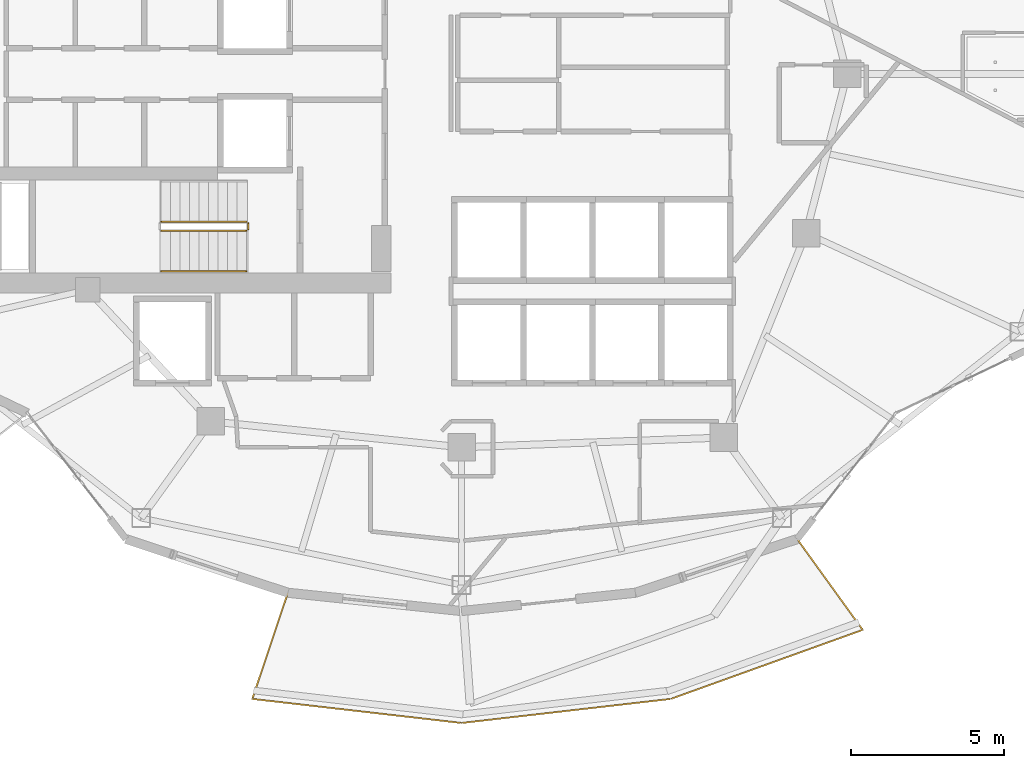
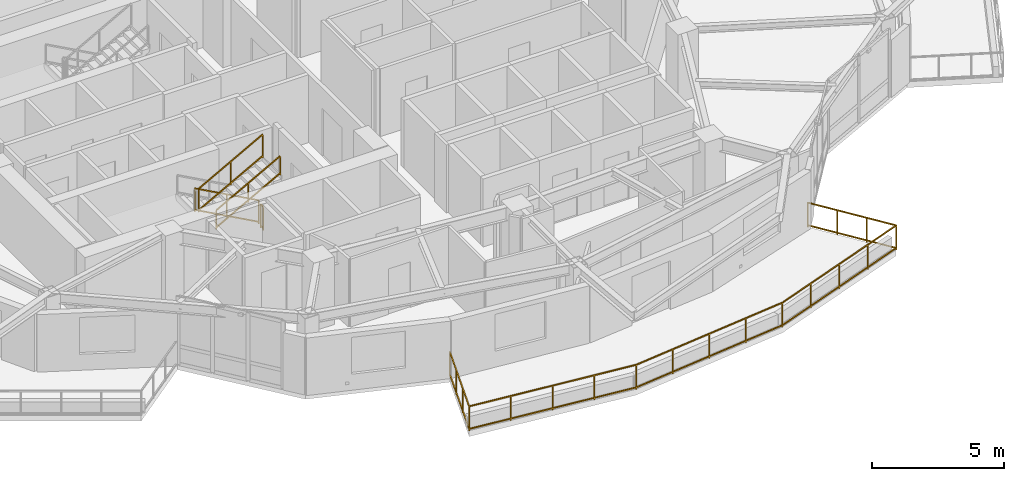
# One storey, part 16 of 19: 5 railings.
"""IFC4 building model written with IfcOpenShell, lengths in metres."""

from ifc_helpers import new_model, si_unit, direction, frame, origin, origin_2d, place, context, subcontext, project, spatial, rectangle, extrude, material, type_object, element, save


model = new_model("IFC4")

# Units and contexts
model_context = context("Model", 3, precision=1e-05, world=origin(), true_north=direction((0.0, 1.0)))
body_context = subcontext(model_context, "Body", "Model", "MODEL_VIEW")
ifc_project = project(units=[si_unit("LENGTHUNIT", "METRE"), si_unit("AREAUNIT", "SQUARE_METRE"), si_unit("VOLUMEUNIT", "CUBIC_METRE"), si_unit("PLANEANGLEUNIT", "RADIAN"), si_unit("MASSUNIT", "GRAM", prefix="KILO")], contexts=[model_context])

# Site, building, storey
site_placement = place(None, origin())
site = spatial("IfcSite", under=ifc_project, at=site_placement, CompositionType="ELEMENT")
building_placement = place(site_placement, origin())
building = spatial("IfcBuilding", under=site, at=building_placement, Name="Kolvaren Gate Tower and Convention Centre", CompositionType="ELEMENT")
storey_placement = place(building_placement, frame((0.0, 0.0, 169.89990234375)))
storey = spatial("IfcBuildingStorey", under=building, at=storey_placement, Name="L44", CompositionType="ELEMENT", Elevation=169.89990234375)

# Railings
ifc_material = material(Name="Brushed Stainless Steel Grade 316L", Category="steel")
railing_type_1 = type_object("IfcRailingType", Name="ARCH-RL-GUARD-1150", PredefinedType="GUARDRAIL", material=ifc_material)
railing_1_placement = place(storey_placement, frame((23.10009765625, 22.169921875, 0.170166015625)))
element("IfcRailing", 1, at=railing_1_placement, inside=storey, type_object=railing_type_1, Name="L44 ST-T2 stair guard 1", PredefinedType="GUARDRAIL", context=body_context, shape_type="SweptSolid", body=[
    extrude(rectangle(XDim=0.048095703125, YDim=0.048095703125, at=origin_2d()), frame((0.0, 0.0, 1.076171875), z_axis=(-0.876811365212, 0.0, 0.480834513982), x_axis=(0.0, -1.0, 0.0)), (0.0, 0.0, 1.0), 3.18212890625),
    extrude(rectangle(XDim=0.048095703125, YDim=0.048095703125, at=origin_2d()), frame((0.0, 0.0, 0.083984375), z_axis=(-0.876811365212, 0.0, 0.480834513982), x_axis=(0.0, -1.0, 0.0)), (0.0, 0.0, 1.0), 3.18212890625),
    extrude(rectangle(XDim=0.0419921875, YDim=0.0419921875, at=origin_2d()), origin(), (0.0, 0.0, 1.0), 1.050048828125),
    extrude(rectangle(XDim=0.0419921875, YDim=0.0419921875, at=origin_2d()), frame((-2.7900390625, 0.0, 1.530029296875)), (0.0, 0.0, 1.0), 1.050048828125),
    extrude(rectangle(XDim=0.0419921875, YDim=0.0419921875, at=origin_2d()), frame((-1.39501953125, 0.0, 0.76513671875)), (0.0, 0.0, 1.0), 1.050048828125),
])
railing_2_placement = place(storey_placement, frame((20.31005859375, 21.8701171875, 1.8701171875)))
element("IfcRailing", 2, at=railing_2_placement, inside=storey, type_object=railing_type_1, Name="L44 ST-T2 stair guard 3", PredefinedType="GUARDRAIL", context=body_context, shape_type="SweptSolid", body=[
    extrude(rectangle(XDim=0.048095703125, YDim=0.048095703125, at=origin_2d()), frame((0.0, 0.0, 1.076171875), z_axis=(0.876811365212, 0.0, 0.480834513982), x_axis=(0.0, 1.0, 0.0)), (0.0, 0.0, 1.0), 3.18212890625),
    extrude(rectangle(XDim=0.048095703125, YDim=0.048095703125, at=origin_2d()), frame((0.0, 0.0, 0.083984375), z_axis=(0.876811365212, 0.0, 0.480834513982), x_axis=(0.0, 1.0, 0.0)), (0.0, 0.0, 1.0), 3.18212890625),
    extrude(rectangle(XDim=0.0419921875, YDim=0.0419921875, at=origin_2d()), origin(), (0.0, 0.0, 1.0), 1.050048828125),
    extrude(rectangle(XDim=0.0419921875, YDim=0.0419921875, at=origin_2d()), frame((2.7900390625, 0.0, 1.530029296875)), (0.0, 0.0, 1.0), 1.050048828125),
    extrude(rectangle(XDim=0.0419921875, YDim=0.0419921875, at=origin_2d()), frame((1.39501953125, 0.0, 0.76513671875)), (0.0, 0.0, 1.0), 1.050048828125),
])
railing_3_placement = place(storey_placement, frame((23.14990234375, 22.1201171875, 0.0)))
element("IfcRailing", 3, at=railing_3_placement, inside=storey, type_object=railing_type_1, Name="L44 ST-T2 stair guard 4", PredefinedType="GUARDRAIL", context=body_context, shape_type="SweptSolid", body=[
    extrude(rectangle(XDim=0.048095703125, YDim=0.048095703125, at=origin_2d()), frame((0.0, 0.0, 1.076171875), z_axis=(0.0, -1.0, 0.0), x_axis=(1.0, 0.0, 0.0)), (0.0, 0.0, 1.0), 0.2001953125),
    extrude(rectangle(XDim=0.048095703125, YDim=0.048095703125, at=origin_2d()), frame((0.0, 0.0, 0.083984375), z_axis=(0.0, -1.0, 0.0), x_axis=(1.0, 0.0, 0.0)), (0.0, 0.0, 1.0), 0.2001953125),
    extrude(rectangle(XDim=0.0419921875, YDim=0.0419921875, at=origin_2d()), origin(), (0.0, 0.0, 1.0), 1.050048828125),
    extrude(rectangle(XDim=0.0419921875, YDim=0.0419921875, at=origin_2d()), frame((0.0, -0.2001953125, 0.0)), (0.0, 0.0, 1.0), 1.050048828125),
])
railing_4_placement = place(storey_placement, frame((24.447265625, 10.048095703125, 0.0)))
element("IfcRailing", 4, at=railing_4_placement, inside=storey, type_object=railing_type_1, Name="Tower L44 Terrace Perimeter Guardrail GR-3", PredefinedType="GUARDRAIL", context=body_context, shape_type="SweptSolid", body=[
    extrude(rectangle(XDim=0.048095703125, YDim=0.048095703125, at=origin_2d()), frame((-0.0087890625, -0.026611328125, 1.1259765625), z_axis=(-0.317568160167, -0.94823544737, 0.0), x_axis=(0.94823544737, -0.317568160167, 0.0)), (0.0, 0.0, 1.0), 3.60400390625),
    extrude(rectangle(XDim=0.048095703125, YDim=0.048095703125, at=origin_2d()), frame((-0.0087890625, -0.026611328125, 0.083984375), z_axis=(-0.317568160167, -0.94823544737, 0.0), x_axis=(0.94823544737, -0.317568160167, 0.0)), (0.0, 0.0, 1.0), 3.60400390625),
    extrude(rectangle(XDim=0.048095703125, YDim=0.048095703125, at=origin_2d()), frame((-1.134521484375, -3.473876953125, 1.1259765625), z_axis=(0.993440112849, -0.114353584036, 0.0), x_axis=(0.114353584036, 0.993440112849, 0.0)), (0.0, 0.0, 1.0), 6.8291015625),
    extrude(rectangle(XDim=0.048095703125, YDim=0.048095703125, at=origin_2d()), frame((-1.134521484375, -3.473876953125, 0.083984375), z_axis=(0.993440112849, -0.114353584036, 0.0), x_axis=(0.114353584036, 0.993440112849, 0.0)), (0.0, 0.0, 1.0), 6.8291015625),
    extrude(rectangle(XDim=0.048095703125, YDim=0.048095703125, at=origin_2d()), frame((5.70556640625, -4.2548828125, 1.1259765625), z_axis=(0.993440112849, 0.114353584036, 0.0), x_axis=(-0.114353584036, 0.993440112849, 0.0)), (0.0, 0.0, 1.0), 6.8291015625),
    extrude(rectangle(XDim=0.048095703125, YDim=0.048095703125, at=origin_2d()), frame((5.70556640625, -4.2548828125, 0.083984375), z_axis=(0.993440112849, 0.114353584036, 0.0), x_axis=(-0.114353584036, 0.993440112849, 0.0)), (0.0, 0.0, 1.0), 6.8291015625),
    extrude(rectangle(XDim=0.048095703125, YDim=0.048095703125, at=origin_2d()), frame((12.544189453125, -3.461181640625, 1.1259765625), z_axis=(0.940948576924, 0.338549517184, 0.0), x_axis=(-0.338549517184, 0.940948576924, 0.0)), (0.0, 0.0, 1.0), 6.60791015625),
    extrude(rectangle(XDim=0.048095703125, YDim=0.048095703125, at=origin_2d()), frame((12.544189453125, -3.461181640625, 0.083984375), z_axis=(0.940948576924, 0.338549517184, 0.0), x_axis=(-0.338549517184, 0.940948576924, 0.0)), (0.0, 0.0, 1.0), 6.60791015625),
    extrude(rectangle(XDim=0.048095703125, YDim=0.048095703125, at=origin_2d()), frame((18.77197265625, -1.19189453125, 1.1259765625), z_axis=(-0.585212870465, 0.810879705161, 0.0), x_axis=(-0.810879705161, -0.585212870465, 0.0)), (0.0, 0.0, 1.0), 3.603759765625),
    extrude(rectangle(XDim=0.048095703125, YDim=0.048095703125, at=origin_2d()), frame((18.77197265625, -1.19189453125, 0.083984375), z_axis=(-0.585212870465, 0.810879705161, 0.0), x_axis=(-0.810879705161, -0.585212870465, 0.0)), (0.0, 0.0, 1.0), 3.603759765625),
    extrude(rectangle(XDim=0.0419921875, YDim=0.0419921875, at=origin_2d()), origin(), (0.0, 0.0, 1.0), 1.14990234375),
    extrude(rectangle(XDim=0.0419921875, YDim=0.0419921875, at=origin_2d()), frame((-1.162353515625, -3.470703125, 0.0)), (0.0, 0.0, 1.0), 1.14990234375),
    extrude(rectangle(XDim=0.0419921875, YDim=0.0419921875, at=origin_2d()), frame((-0.387451171875, -1.156982421875, 0.0)), (0.0, 0.0, 1.0), 1.099853515625),
    extrude(rectangle(XDim=0.0419921875, YDim=0.0419921875, at=origin_2d()), frame((-0.77490234375, -2.313720703125, 0.0)), (0.0, 0.0, 1.0), 1.099853515625),
    extrude(rectangle(XDim=0.0419921875, YDim=0.0419921875, at=origin_2d()), frame((5.677734375, -4.258056640625, 0.0)), (0.0, 0.0, 1.0), 1.14990234375),
    extrude(rectangle(XDim=0.0419921875, YDim=0.0419921875, at=origin_2d()), frame((0.547607421875, -3.66748046875, 0.0)), (0.0, 0.0, 1.0), 1.099853515625),
    extrude(rectangle(XDim=0.0419921875, YDim=0.0419921875, at=origin_2d()), frame((2.2578125, -3.8642578125, 0.0)), (0.0, 0.0, 1.0), 1.099853515625),
    extrude(rectangle(XDim=0.0419921875, YDim=0.0419921875, at=origin_2d()), frame((3.9677734375, -4.061279296875, 0.0)), (0.0, 0.0, 1.0), 1.099853515625),
    extrude(rectangle(XDim=0.0419921875, YDim=0.0419921875, at=origin_2d()), frame((12.517822265625, -3.470703125, 0.0)), (0.0, 0.0, 1.0), 1.14990234375),
    extrude(rectangle(XDim=0.0419921875, YDim=0.0419921875, at=origin_2d()), frame((7.3876953125, -4.061279296875, 0.0)), (0.0, 0.0, 1.0), 1.099853515625),
    extrude(rectangle(XDim=0.0419921875, YDim=0.0419921875, at=origin_2d()), frame((9.09765625, -3.8642578125, 0.0)), (0.0, 0.0, 1.0), 1.099853515625),
    extrude(rectangle(XDim=0.0419921875, YDim=0.0419921875, at=origin_2d()), frame((10.807861328125, -3.66748046875, 0.0)), (0.0, 0.0, 1.0), 1.099853515625),
    extrude(rectangle(XDim=0.0419921875, YDim=0.0419921875, at=origin_2d()), frame((18.788330078125, -1.214599609375, 0.0)), (0.0, 0.0, 1.0), 1.14990234375),
    extrude(rectangle(XDim=0.0419921875, YDim=0.0419921875, at=origin_2d()), frame((14.08544921875, -2.90673828125, 0.0)), (0.0, 0.0, 1.0), 1.099853515625),
    extrude(rectangle(XDim=0.0419921875, YDim=0.0419921875, at=origin_2d()), frame((15.653076171875, -2.3427734375, 0.0)), (0.0, 0.0, 1.0), 1.099853515625),
    extrude(rectangle(XDim=0.0419921875, YDim=0.0419921875, at=origin_2d()), frame((17.220703125, -1.778564453125, 0.0)), (0.0, 0.0, 1.0), 1.099853515625),
    extrude(rectangle(XDim=0.0419921875, YDim=0.0419921875, at=origin_2d()), frame((16.646484375, 1.753173828125, 0.0)), (0.0, 0.0, 1.0), 1.14990234375),
    extrude(rectangle(XDim=0.0419921875, YDim=0.0419921875, at=origin_2d()), frame((18.074462890625, -0.225341796875, 0.0)), (0.0, 0.0, 1.0), 1.099853515625),
    extrude(rectangle(XDim=0.0419921875, YDim=0.0419921875, at=origin_2d()), frame((17.3603515625, 0.763916015625, 0.0)), (0.0, 0.0, 1.0), 1.099853515625),
])
railing_type_2 = type_object("IfcRailingType", Name="ARCH-RL-HANDRAIL-920", PredefinedType="HANDRAIL", material=ifc_material)
railing_5_placement = place(storey_placement, frame((20.31005859375, 20.550048828125, 1.8701171875)))
element("IfcRailing", 5, at=railing_5_placement, inside=storey, type_object=railing_type_2, Name="L44 ST-T2 stair handrail 2", PredefinedType="HANDRAIL", context=body_context, shape_type="SweptSolid", body=[
    extrude(rectangle(XDim=0.048095703125, YDim=0.048095703125, at=origin_2d()), frame((0.0, 0.0, 0.8759765625), z_axis=(0.876811365212, 0.0, 0.480834513982), x_axis=(0.0, 1.0, 0.0)), (0.0, 0.0, 1.0), 3.18212890625),
    extrude(rectangle(XDim=0.048095703125, YDim=0.048095703125, at=origin_2d()), frame((0.0, 0.0, 0.083984375), z_axis=(0.876811365212, 0.0, 0.480834513982), x_axis=(0.0, 1.0, 0.0)), (0.0, 0.0, 1.0), 3.18212890625),
    extrude(rectangle(XDim=0.0419921875, YDim=0.0419921875, at=origin_2d()), origin(), (0.0, 0.0, 1.0), 0.849853515625),
    extrude(rectangle(XDim=0.0419921875, YDim=0.0419921875, at=origin_2d()), frame((2.7900390625, 0.0, 1.530029296875)), (0.0, 0.0, 1.0), 0.849853515625),
    extrude(rectangle(XDim=0.0419921875, YDim=0.0419921875, at=origin_2d()), frame((1.39501953125, 0.0, 0.76513671875)), (0.0, 0.0, 1.0), 0.849853515625),
])

save(model, "model.ifc")
